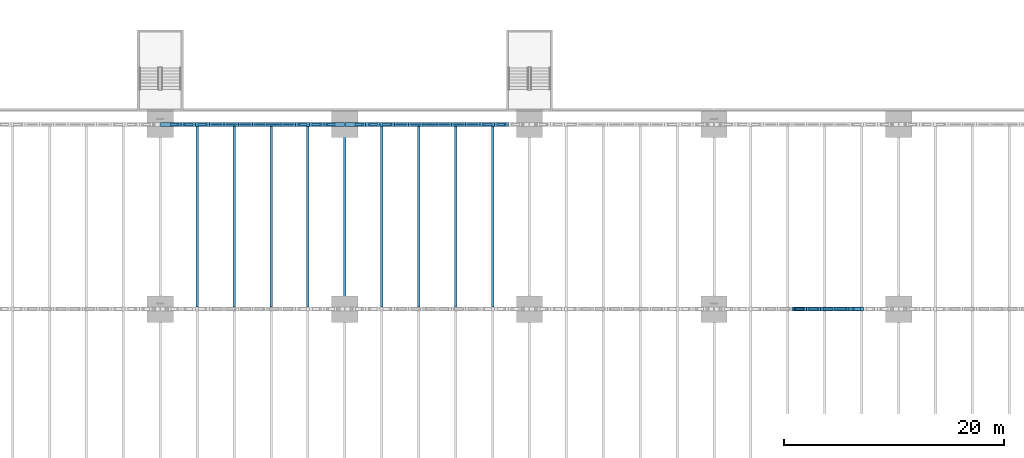
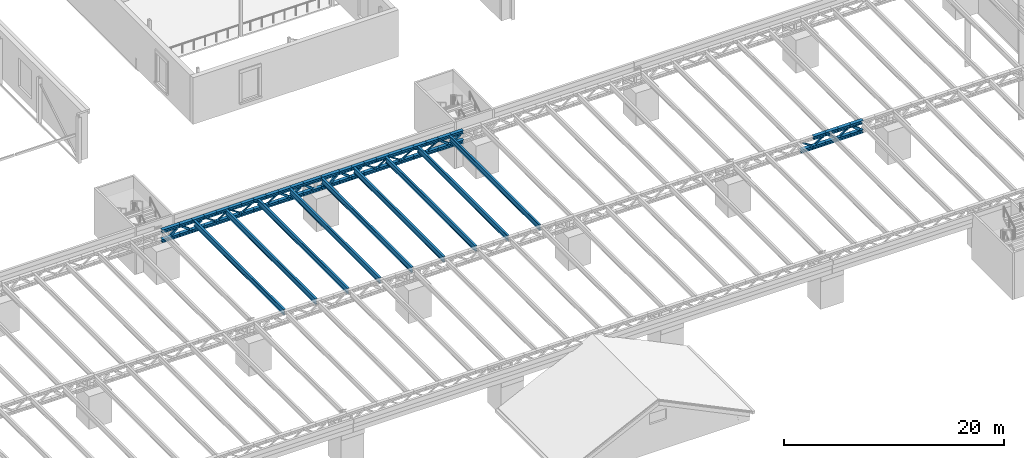
# One storey, part 25 of 93: 83 members, 9 beams.
"""IFC4 building model written with IfcOpenShell, lengths in metres."""

import ifcopenshell
import ifcopenshell.guid

model = None  # the IFC model being written
_history = None  # IfcOwnerHistory: only IFC2X3 demands one
_inside = {}  # id of a spatial element -> (the spatial element, [elements in it])
_under = {}  # id of a project, library or spatial element -> (it, [spatial elements below it])
_declared = {}  # id of a project -> (the project, [libraries it declares])
_typed = {}  # id of a type object -> (the type object, [elements of that type])
_made_of = {}  # id of a material, layer set ... -> (it, [elements and type objects made of it])


def new_model(schema):
    """Start an empty IFC model of exactly this schema.

    Asked for "IFC4X3", IfcOpenShell would pick the latest addendum, in which some entities
    have other attributes; the version numbers below select the first issue.
    IFC2X3 requires an IfcOwnerHistory on every rooted entity: one is made here for all.
    """
    global model, _history
    if schema == "IFC4X3":
        model = ifcopenshell.file(schema_version=(4, 3, 0, 0))
    else:
        model = ifcopenshell.file(schema=schema)
    _inside.clear()
    _under.clear()
    _declared.clear()
    _typed.clear()
    _made_of.clear()
    _history = None
    if model.schema == "IFC2X3":
        org = make("IfcOrganization", Name="unknown")
        user = make(
            "IfcPersonAndOrganization",
            ThePerson=make("IfcPerson", FamilyName="unknown"),
            TheOrganization=org,
        )
        app = make(
            "IfcApplication",
            ApplicationDeveloper=org,
            Version="unknown",
            ApplicationFullName="unknown",
            ApplicationIdentifier="unknown",
        )
        _history = make(
            "IfcOwnerHistory",
            OwningUser=user,
            OwningApplication=app,
            ChangeAction="ADDED",
            CreationDate=0,
        )
    return model


def make(cls, **values):
    """One entity of the class cls with the attributes given. An attribute that is None is left unset."""
    return model.create_entity(
        cls, **{name: value for name, value in values.items() if value is not None}
    )


def rooted(cls, **values):
    """An entity with a GlobalId (a new one), such as an element, a storey or a relation."""
    return make(cls, GlobalId=ifcopenshell.guid.new(), OwnerHistory=_history, **values)


def si_unit(unit_type, name, prefix=None):
    """IfcSIUnit, for example si_unit("LENGTHUNIT", "METRE", prefix="MILLI")."""
    return make("IfcSIUnit", UnitType=unit_type, Prefix=prefix, Name=name)


def assignment(units):
    """IfcUnitAssignment: the units of a project."""
    return None if units is None else make("IfcUnitAssignment", Units=units)


def point(xyz):
    """IfcCartesianPoint."""
    return None if xyz is None else make("IfcCartesianPoint", Coordinates=xyz)


def direction(xyz):
    """IfcDirection."""
    return None if xyz is None else make("IfcDirection", DirectionRatios=xyz)


def frame(location, z_axis=None, x_axis=None):
    """IfcAxis2Placement3D, a coordinate frame: its origin and axes. An axis left out is left unset."""
    return make(
        "IfcAxis2Placement3D",
        Location=point(location),
        Axis=direction(z_axis),
        RefDirection=direction(x_axis),
    )


def frame_2d(location, x_axis=None):
    """IfcAxis2Placement2D, a coordinate frame in the plane: its origin and x axis."""
    return make(
        "IfcAxis2Placement2D", Location=point(location), RefDirection=direction(x_axis)
    )


def origin():
    """The frame at (0, 0, 0) with its axes left unset."""
    return frame((0.0, 0.0, 0.0))


def origin_2d():
    """The frame at (0, 0) in the plane with its x axis left unset."""
    return frame_2d((0.0, 0.0))


def place(relative_to, where):
    """IfcLocalPlacement: puts the frame where relative to a parent placement (None: the world)."""
    return make(
        "IfcLocalPlacement", PlacementRelTo=relative_to, RelativePlacement=where
    )


def context(
    kind, dimensions, precision=None, world=None, true_north=None, identifier=None
):
    """IfcGeometricRepresentationContext, for example the 3D "Model" context."""
    return make(
        "IfcGeometricRepresentationContext",
        ContextIdentifier=identifier,
        ContextType=kind,
        CoordinateSpaceDimension=dimensions,
        Precision=precision,
        WorldCoordinateSystem=world,
        TrueNorth=true_north,
    )


def subcontext(parent, identifier, kind, view, scale=None):
    """IfcGeometricRepresentationSubContext, for example "Body" below "Model"."""
    return make(
        "IfcGeometricRepresentationSubContext",
        ContextIdentifier=identifier,
        ContextType=kind,
        ParentContext=parent,
        TargetScale=scale,
        TargetView=view,
    )


def project(units=None, contexts=None):
    """IfcProject with its units and contexts."""
    return rooted(
        "IfcProject",
        Name="project",
        RepresentationContexts=contexts,
        UnitsInContext=assignment(units),
    )


def spatial(cls, under=None, at=None, **own):
    """A site, building, storey or space (cls), placed at a placement, below another one or the project."""
    s = rooted(cls, ObjectPlacement=at, **own)
    if under is not None:
        _under.setdefault(under.id(), (under, []))[1].append(s)
    return s


def profile(cls, at=None, kind="AREA", **sizes):
    """A parametric profile (cls). Its sizes go by their IFC names, for example OverallWidth=200.0."""
    return make(cls, ProfileType=kind, Position=at, **sizes)


def hollow_rectangle(**sizes):
    """IfcRectangleHollowProfileDef."""
    return profile("IfcRectangleHollowProfileDef", **sizes)


def i_section(**sizes):
    """IfcIShapeProfileDef."""
    return profile("IfcIShapeProfileDef", **sizes)


def extrude(swept, where, along, depth):
    """IfcExtrudedAreaSolid: the profile swept, set in the frame where, extruded along a direction by depth."""
    return make(
        "IfcExtrudedAreaSolid",
        SweptArea=swept,
        Position=where,
        ExtrudedDirection=direction(along),
        Depth=depth,
    )


def shape(context_of_items, identifier, shape_type, items):
    """IfcShapeRepresentation: the items that make up one representation, for example the "Body"."""
    return make(
        "IfcShapeRepresentation",
        ContextOfItems=context_of_items,
        RepresentationIdentifier=identifier,
        RepresentationType=shape_type,
        Items=items,
    )


def material(Name=None, Category=None):
    """IfcMaterial."""
    return make("IfcMaterial", Name=Name, Category=Category)


def material_profile(
    of_material, cross_section, Name=None, Category=None, Priority=None
):
    """IfcMaterialProfile: a cross section and its material."""
    return make(
        "IfcMaterialProfile",
        Name=Name,
        Material=of_material,
        Profile=cross_section,
        Priority=Priority,
        Category=Category,
    )


def profile_set(profiles, Name=None, composite=None):
    """IfcMaterialProfileSet."""
    return make(
        "IfcMaterialProfileSet",
        Name=Name,
        MaterialProfiles=profiles,
        CompositeProfile=composite,
    )


def made_of(thing, what):
    """Note that an element or type object is made of a material, layer set ...; save() writes the relation."""
    if what is not None:
        _made_of.setdefault(what.id(), (what, []))[1].append(thing)
    return thing


def type_object(cls, material=None, **own):
    """A type object (cls), such as IfcWallType, which elements share."""
    return made_of(rooted(cls, **own), material)


def element(
    cls,
    number,
    at=None,
    inside=None,
    cuts=None,
    type_object=None,
    material=None,
    context=None,
    identifier="Body",
    shape_type=None,
    held_by="IfcProductDefinitionShape",
    body=None,
    shapes=None,
    **own,
):
    """One element of the class cls, such as IfcWall. Its Tag is "e" and its number.

    at: its placement. inside: the storey or other place that contains it. cuts: it is an
    opening in that element (IfcRelVoidsElement). A single representation is given by context,
    identifier, shape_type and body (its items); several are given by shapes. held_by: the class
    of the entity that holds the representations. save() writes the other relations.
    """
    e = rooted(cls, Tag="e%d" % number, ObjectPlacement=at, **own)
    if body is not None:
        shapes = [shape(context, identifier, shape_type, body)]
    if shapes is not None:
        e.Representation = make(held_by, Representations=shapes)
    if inside is not None:
        _inside.setdefault(inside.id(), (inside, []))[1].append(e)
    if cuts is not None:
        rooted(
            "IfcRelVoidsElement", RelatingBuildingElement=cuts, RelatedOpeningElement=e
        )
    if type_object is not None:
        _typed.setdefault(type_object.id(), (type_object, []))[1].append(e)
    return made_of(e, material)


def aggregate(whole, parts):
    """IfcRelAggregates: a whole, such as a stair, and the parts it consists of."""
    return rooted("IfcRelAggregates", RelatingObject=whole, RelatedObjects=parts)


def save(model, path):
    """Write the relations noted so far, then the file.

    IfcRelAggregates (storeys below a building ...), IfcRelContainedInSpatialStructure (elements
    in a storey), IfcRelDefinesByType, IfcRelAssociatesMaterial and IfcRelDeclares: one each for
    every whole, place, type object, material and project.
    """
    for whole, parts in _under.values():
        aggregate(whole, parts)
    for where, things in _inside.values():
        rooted(
            "IfcRelContainedInSpatialStructure",
            RelatedElements=things,
            RelatingStructure=where,
        )
    for kind, things in _typed.values():
        rooted("IfcRelDefinesByType", RelatedObjects=things, RelatingType=kind)
    for what, things in _made_of.values():
        rooted("IfcRelAssociatesMaterial", RelatedObjects=things, RelatingMaterial=what)
    for by, libraries in _declared.values():
        rooted("IfcRelDeclares", RelatingContext=by, RelatedDefinitions=libraries)
    model.write(path)


model = new_model("IFC4")

# Units and contexts
model_context = context("Model", 3, precision=1e-05, world=origin(), true_north=direction((0.0, 1.0)))
body_context = subcontext(model_context, "Body", "Model", "MODEL_VIEW")
ifc_project = project(units=[si_unit("LENGTHUNIT", "METRE"), si_unit("AREAUNIT", "SQUARE_METRE"), si_unit("VOLUMEUNIT", "CUBIC_METRE"), si_unit("PLANEANGLEUNIT", "RADIAN"), si_unit("MASSUNIT", "GRAM", prefix="KILO")], contexts=[model_context])

# Site, building, storey
site_placement = place(None, origin())
site = spatial("IfcSite", under=ifc_project, at=site_placement, CompositionType="ELEMENT")
building_placement = place(site_placement, origin())
building = spatial("IfcBuilding", under=site, at=building_placement, Name="Verrick Yard Athletic Hall", CompositionType="ELEMENT")
storey_placement = place(building_placement, frame((0.0, 0.0, 8.800048828125)))
storey = spatial("IfcBuildingStorey", under=building, at=storey_placement, Name="L02", CompositionType="ELEMENT", Elevation=8.800048828125)

# Members
ifc_material_1 = material(Name="Structural steel 350W (CSA G40.21)", Category="steel")
ifc_material_profile_1 = material_profile(ifc_material_1, i_section(OverallWidth=0.368896484375, OverallDepth=0.35595703125, WebThickness=0.01123046875, FlangeThickness=0.01806640625, at=origin_2d()), Name="W360x134")
ifc_profile_set_1 = profile_set([ifc_material_profile_1], Name="Structural steel 350W (CSA G40.21)")
member_type_1 = type_object("IfcMemberType", Name="STR Edge truss bottom chord W360x134", PredefinedType="CHORD", material=ifc_profile_set_1)
member_1_placement = place(storey_placement, frame((73.625, 52.800048828125, 3.827880859375), z_axis=(1.0, 0.0, 0.0), x_axis=(0.0, 1.0, 0.0)))
element("IfcMember", 1, at=member_1_placement, inside=storey, type_object=member_type_1, Name="STR-BC-GC3-1", PredefinedType="CHORD", context=body_context, shape_type="SweptSolid", body=[
    extrude(i_section(OverallWidth=0.368896484375, OverallDepth=0.35595703125, WebThickness=0.01123046875, FlangeThickness=0.01806640625, at=origin_2d()), origin(), (0.0, 0.0, 1.0), 1.875),
])
for number, where, z_axis, x_axis, name in (
    (2, (75.5, 52.800048828125, 3.827880859375), (1.0, 0.0, 0.0), (0.0, 1.0, 0.0), "STR-BC-GC3-2"),
    (3, (76.800048828125, 52.800048828125, 3.827880859375), (1.0, 0.0, 0.0), (0.0, 1.0, 0.0), "STR-BC-GC3-3"),
):
    element("IfcMember", number, at=place(storey_placement, frame(where, z_axis=z_axis, x_axis=x_axis)), inside=storey, type_object=member_type_1, Name=name, PredefinedType="CHORD", context=body_context, shape_type="SweptSolid", body=[
        extrude(i_section(OverallWidth=0.368896484375, OverallDepth=0.35595703125, WebThickness=0.01123046875, FlangeThickness=0.01806640625, at=origin_2d()), origin(), (0.0, 0.0, 1.0), 1.300048828125),
    ])
member_2_placement = place(storey_placement, frame((78.10009765625, 52.800048828125, 3.827880859375), z_axis=(1.0, 0.0, 0.0), x_axis=(0.0, 1.0, 0.0)))
element("IfcMember", 4, at=member_2_placement, inside=storey, type_object=member_type_1, Name="STR-BC-GC3-4", PredefinedType="CHORD", context=body_context, shape_type="SweptSolid", body=[
    extrude(i_section(OverallWidth=0.368896484375, OverallDepth=0.35595703125, WebThickness=0.01123046875, FlangeThickness=0.01806640625, at=origin_2d()), origin(), (0.0, 0.0, 1.0), 1.2998046875),
])
for number, where, z_axis, x_axis, name in (
    (5, (79.39990234375, 52.800048828125, 3.827880859375), (1.0, 0.0, 0.0), (0.0, 1.0, 0.0), "STR-BC-GC3-5"),
    (6, (80.699951171875, 52.800048828125, 3.827880859375), (1.0, 0.0, 0.0), (0.0, 1.0, 0.0), "STR-BC-GC3-6"),
    (7, (82.0, 52.800048828125, 3.827880859375), (1.0, 0.0, 0.0), (0.0, 1.0, 0.0), "STR-BC-GC3-7"),
    (8, (83.300048828125, 52.800048828125, 3.827880859375), (1.0, 0.0, 0.0), (0.0, 1.0, 0.0), "STR-BC-GC3-8"),
):
    element("IfcMember", number, at=place(storey_placement, frame(where, z_axis=z_axis, x_axis=x_axis)), inside=storey, type_object=member_type_1, Name=name, PredefinedType="CHORD", context=body_context, shape_type="SweptSolid", body=[
        extrude(i_section(OverallWidth=0.368896484375, OverallDepth=0.35595703125, WebThickness=0.01123046875, FlangeThickness=0.01806640625, at=origin_2d()), origin(), (0.0, 0.0, 1.0), 1.300048828125),
    ])
member_3_placement = place(storey_placement, frame((84.60009765625, 52.800048828125, 3.827880859375), z_axis=(1.0, 0.0, 0.0), x_axis=(0.0, 1.0, 0.0)))
element("IfcMember", 9, at=member_3_placement, inside=storey, type_object=member_type_1, Name="STR-BC-GC3-9", PredefinedType="CHORD", context=body_context, shape_type="SweptSolid", body=[
    extrude(i_section(OverallWidth=0.368896484375, OverallDepth=0.35595703125, WebThickness=0.01123046875, FlangeThickness=0.01806640625, at=origin_2d()), origin(), (0.0, 0.0, 1.0), 1.2998046875),
])
for number, where, z_axis, x_axis, name in (
    (10, (85.89990234375, 52.800048828125, 3.827880859375), (1.0, 0.0, 0.0), (0.0, 1.0, 0.0), "STR-BC-GC3-10"),
    (11, (87.199951171875, 52.800048828125, 3.827880859375), (1.0, 0.0, 0.0), (0.0, 1.0, 0.0), "STR-BC-GC3-11"),
):
    element("IfcMember", number, at=place(storey_placement, frame(where, z_axis=z_axis, x_axis=x_axis)), inside=storey, type_object=member_type_1, Name=name, PredefinedType="CHORD", context=body_context, shape_type="SweptSolid", body=[
        extrude(i_section(OverallWidth=0.368896484375, OverallDepth=0.35595703125, WebThickness=0.01123046875, FlangeThickness=0.01806640625, at=origin_2d()), origin(), (0.0, 0.0, 1.0), 1.300048828125),
    ])
for number, where, z_axis, x_axis, name in (
    (12, (88.5, 52.800048828125, 3.827880859375), (1.0, 0.0, 0.0), (0.0, 1.0, 0.0), "STR-BC-GC3-12"),
    (13, (90.425048828125, 52.800048828125, 3.827880859375), (1.0, 0.0, 0.0), (0.0, 1.0, 0.0), "STR-BC-GC4-1"),
):
    element("IfcMember", number, at=place(storey_placement, frame(where, z_axis=z_axis, x_axis=x_axis)), inside=storey, type_object=member_type_1, Name=name, PredefinedType="CHORD", context=body_context, shape_type="SweptSolid", body=[
        extrude(i_section(OverallWidth=0.368896484375, OverallDepth=0.35595703125, WebThickness=0.01123046875, FlangeThickness=0.01806640625, at=origin_2d()), origin(), (0.0, 0.0, 1.0), 1.875),
    ])
member_4_placement = place(storey_placement, frame((92.300048828125, 52.800048828125, 3.827880859375), z_axis=(1.0, 0.0, 0.0), x_axis=(0.0, 1.0, 0.0)))
element("IfcMember", 14, at=member_4_placement, inside=storey, type_object=member_type_1, Name="STR-BC-GC4-2", PredefinedType="CHORD", context=body_context, shape_type="SweptSolid", body=[
    extrude(i_section(OverallWidth=0.368896484375, OverallDepth=0.35595703125, WebThickness=0.01123046875, FlangeThickness=0.01806640625, at=origin_2d()), origin(), (0.0, 0.0, 1.0), 1.300048828125),
])
member_5_placement = place(storey_placement, frame((93.60009765625, 52.800048828125, 3.827880859375), z_axis=(1.0, 0.0, 0.0), x_axis=(0.0, 1.0, 0.0)))
element("IfcMember", 15, at=member_5_placement, inside=storey, type_object=member_type_1, Name="STR-BC-GC4-3", PredefinedType="CHORD", context=body_context, shape_type="SweptSolid", body=[
    extrude(i_section(OverallWidth=0.368896484375, OverallDepth=0.35595703125, WebThickness=0.01123046875, FlangeThickness=0.01806640625, at=origin_2d()), origin(), (0.0, 0.0, 1.0), 1.2998046875),
])
for number, where, z_axis, x_axis, name in (
    (16, (94.89990234375, 52.800048828125, 3.827880859375), (1.0, 0.0, 0.0), (0.0, 1.0, 0.0), "STR-BC-GC4-4"),
    (17, (96.199951171875, 52.800048828125, 3.827880859375), (1.0, 0.0, 0.0), (0.0, 1.0, 0.0), "STR-BC-GC4-5"),
    (18, (97.5, 52.800048828125, 3.827880859375), (1.0, 0.0, 0.0), (0.0, 1.0, 0.0), "STR-BC-GC4-6"),
    (19, (98.800048828125, 52.800048828125, 3.827880859375), (1.0, 0.0, 0.0), (0.0, 1.0, 0.0), "STR-BC-GC4-7"),
):
    element("IfcMember", number, at=place(storey_placement, frame(where, z_axis=z_axis, x_axis=x_axis)), inside=storey, type_object=member_type_1, Name=name, PredefinedType="CHORD", context=body_context, shape_type="SweptSolid", body=[
        extrude(i_section(OverallWidth=0.368896484375, OverallDepth=0.35595703125, WebThickness=0.01123046875, FlangeThickness=0.01806640625, at=origin_2d()), origin(), (0.0, 0.0, 1.0), 1.300048828125),
    ])
member_6_placement = place(storey_placement, frame((100.10009765625, 52.800048828125, 3.827880859375), z_axis=(1.0, 0.0, 0.0), x_axis=(0.0, 1.0, 0.0)))
element("IfcMember", 20, at=member_6_placement, inside=storey, type_object=member_type_1, Name="STR-BC-GC4-8", PredefinedType="CHORD", context=body_context, shape_type="SweptSolid", body=[
    extrude(i_section(OverallWidth=0.368896484375, OverallDepth=0.35595703125, WebThickness=0.01123046875, FlangeThickness=0.01806640625, at=origin_2d()), origin(), (0.0, 0.0, 1.0), 1.2998046875),
])
for number, where, z_axis, x_axis, name in (
    (21, (101.39990234375, 52.800048828125, 3.827880859375), (1.0, 0.0, 0.0), (0.0, 1.0, 0.0), "STR-BC-GC4-9"),
    (22, (102.699951171875, 52.800048828125, 3.827880859375), (1.0, 0.0, 0.0), (0.0, 1.0, 0.0), "STR-BC-GC4-10"),
    (23, (104.0, 52.800048828125, 3.827880859375), (1.0, 0.0, 0.0), (0.0, 1.0, 0.0), "STR-BC-GC4-11"),
):
    element("IfcMember", number, at=place(storey_placement, frame(where, z_axis=z_axis, x_axis=x_axis)), inside=storey, type_object=member_type_1, Name=name, PredefinedType="CHORD", context=body_context, shape_type="SweptSolid", body=[
        extrude(i_section(OverallWidth=0.368896484375, OverallDepth=0.35595703125, WebThickness=0.01123046875, FlangeThickness=0.01806640625, at=origin_2d()), origin(), (0.0, 0.0, 1.0), 1.300048828125),
    ])
ifc_material_profile_2 = material_profile(ifc_material_1, i_section(OverallWidth=0.368896484375, OverallDepth=0.35595703125, WebThickness=0.01123046875, FlangeThickness=0.01806640625, at=origin_2d()), Name="W360x134")
ifc_profile_set_2 = profile_set([ifc_material_profile_2], Name="Structural steel 350W (CSA G40.21)")
member_type_2 = type_object("IfcMemberType", Name="STR Edge truss top chord W360x134", PredefinedType="CHORD", material=ifc_profile_set_2)
member_7_placement = place(storey_placement, frame((73.625, 52.800048828125, 4.8720703125), z_axis=(1.0, 0.0, 0.0), x_axis=(0.0, 1.0, 0.0)))
element("IfcMember", 24, at=member_7_placement, inside=storey, type_object=member_type_2, Name="STR-TC-GC3-1", PredefinedType="CHORD", context=body_context, shape_type="SweptSolid", body=[
    extrude(i_section(OverallWidth=0.368896484375, OverallDepth=0.35595703125, WebThickness=0.01123046875, FlangeThickness=0.01806640625, at=origin_2d()), origin(), (0.0, 0.0, 1.0), 1.875),
])
for number, where, z_axis, x_axis, name in (
    (25, (75.5, 52.800048828125, 4.8720703125), (1.0, 0.0, 0.0), (0.0, 1.0, 0.0), "STR-TC-GC3-2"),
    (26, (76.800048828125, 52.800048828125, 4.8720703125), (1.0, 0.0, 0.0), (0.0, 1.0, 0.0), "STR-TC-GC3-3"),
):
    element("IfcMember", number, at=place(storey_placement, frame(where, z_axis=z_axis, x_axis=x_axis)), inside=storey, type_object=member_type_2, Name=name, PredefinedType="CHORD", context=body_context, shape_type="SweptSolid", body=[
        extrude(i_section(OverallWidth=0.368896484375, OverallDepth=0.35595703125, WebThickness=0.01123046875, FlangeThickness=0.01806640625, at=origin_2d()), origin(), (0.0, 0.0, 1.0), 1.300048828125),
    ])
member_8_placement = place(storey_placement, frame((78.10009765625, 52.800048828125, 4.8720703125), z_axis=(1.0, 0.0, 0.0), x_axis=(0.0, 1.0, 0.0)))
element("IfcMember", 27, at=member_8_placement, inside=storey, type_object=member_type_2, Name="STR-TC-GC3-4", PredefinedType="CHORD", context=body_context, shape_type="SweptSolid", body=[
    extrude(i_section(OverallWidth=0.368896484375, OverallDepth=0.35595703125, WebThickness=0.01123046875, FlangeThickness=0.01806640625, at=origin_2d()), origin(), (0.0, 0.0, 1.0), 1.2998046875),
])
for number, where, z_axis, x_axis, name in (
    (28, (79.39990234375, 52.800048828125, 4.8720703125), (1.0, 0.0, 0.0), (0.0, 1.0, 0.0), "STR-TC-GC3-5"),
    (29, (80.699951171875, 52.800048828125, 4.8720703125), (1.0, 0.0, 0.0), (0.0, 1.0, 0.0), "STR-TC-GC3-6"),
    (30, (82.0, 52.800048828125, 4.8720703125), (1.0, 0.0, 0.0), (0.0, 1.0, 0.0), "STR-TC-GC3-7"),
    (31, (83.300048828125, 52.800048828125, 4.8720703125), (1.0, 0.0, 0.0), (0.0, 1.0, 0.0), "STR-TC-GC3-8"),
):
    element("IfcMember", number, at=place(storey_placement, frame(where, z_axis=z_axis, x_axis=x_axis)), inside=storey, type_object=member_type_2, Name=name, PredefinedType="CHORD", context=body_context, shape_type="SweptSolid", body=[
        extrude(i_section(OverallWidth=0.368896484375, OverallDepth=0.35595703125, WebThickness=0.01123046875, FlangeThickness=0.01806640625, at=origin_2d()), origin(), (0.0, 0.0, 1.0), 1.300048828125),
    ])
member_9_placement = place(storey_placement, frame((84.60009765625, 52.800048828125, 4.8720703125), z_axis=(1.0, 0.0, 0.0), x_axis=(0.0, 1.0, 0.0)))
element("IfcMember", 32, at=member_9_placement, inside=storey, type_object=member_type_2, Name="STR-TC-GC3-9", PredefinedType="CHORD", context=body_context, shape_type="SweptSolid", body=[
    extrude(i_section(OverallWidth=0.368896484375, OverallDepth=0.35595703125, WebThickness=0.01123046875, FlangeThickness=0.01806640625, at=origin_2d()), origin(), (0.0, 0.0, 1.0), 1.2998046875),
])
for number, where, z_axis, x_axis, name in (
    (33, (85.89990234375, 52.800048828125, 4.8720703125), (1.0, 0.0, 0.0), (0.0, 1.0, 0.0), "STR-TC-GC3-10"),
    (34, (87.199951171875, 52.800048828125, 4.8720703125), (1.0, 0.0, 0.0), (0.0, 1.0, 0.0), "STR-TC-GC3-11"),
):
    element("IfcMember", number, at=place(storey_placement, frame(where, z_axis=z_axis, x_axis=x_axis)), inside=storey, type_object=member_type_2, Name=name, PredefinedType="CHORD", context=body_context, shape_type="SweptSolid", body=[
        extrude(i_section(OverallWidth=0.368896484375, OverallDepth=0.35595703125, WebThickness=0.01123046875, FlangeThickness=0.01806640625, at=origin_2d()), origin(), (0.0, 0.0, 1.0), 1.300048828125),
    ])
for number, where, z_axis, x_axis, name in (
    (35, (88.5, 52.800048828125, 4.8720703125), (1.0, 0.0, 0.0), (0.0, 1.0, 0.0), "STR-TC-GC3-12"),
    (36, (90.425048828125, 52.800048828125, 4.8720703125), (1.0, 0.0, 0.0), (0.0, 1.0, 0.0), "STR-TC-GC4-1"),
):
    element("IfcMember", number, at=place(storey_placement, frame(where, z_axis=z_axis, x_axis=x_axis)), inside=storey, type_object=member_type_2, Name=name, PredefinedType="CHORD", context=body_context, shape_type="SweptSolid", body=[
        extrude(i_section(OverallWidth=0.368896484375, OverallDepth=0.35595703125, WebThickness=0.01123046875, FlangeThickness=0.01806640625, at=origin_2d()), origin(), (0.0, 0.0, 1.0), 1.875),
    ])
member_10_placement = place(storey_placement, frame((92.300048828125, 52.800048828125, 4.8720703125), z_axis=(1.0, 0.0, 0.0), x_axis=(0.0, 1.0, 0.0)))
element("IfcMember", 37, at=member_10_placement, inside=storey, type_object=member_type_2, Name="STR-TC-GC4-2", PredefinedType="CHORD", context=body_context, shape_type="SweptSolid", body=[
    extrude(i_section(OverallWidth=0.368896484375, OverallDepth=0.35595703125, WebThickness=0.01123046875, FlangeThickness=0.01806640625, at=origin_2d()), origin(), (0.0, 0.0, 1.0), 1.300048828125),
])
member_11_placement = place(storey_placement, frame((93.60009765625, 52.800048828125, 4.8720703125), z_axis=(1.0, 0.0, 0.0), x_axis=(0.0, 1.0, 0.0)))
element("IfcMember", 38, at=member_11_placement, inside=storey, type_object=member_type_2, Name="STR-TC-GC4-3", PredefinedType="CHORD", context=body_context, shape_type="SweptSolid", body=[
    extrude(i_section(OverallWidth=0.368896484375, OverallDepth=0.35595703125, WebThickness=0.01123046875, FlangeThickness=0.01806640625, at=origin_2d()), origin(), (0.0, 0.0, 1.0), 1.2998046875),
])
for number, where, z_axis, x_axis, name in (
    (39, (94.89990234375, 52.800048828125, 4.8720703125), (1.0, 0.0, 0.0), (0.0, 1.0, 0.0), "STR-TC-GC4-4"),
    (40, (96.199951171875, 52.800048828125, 4.8720703125), (1.0, 0.0, 0.0), (0.0, 1.0, 0.0), "STR-TC-GC4-5"),
    (41, (97.5, 52.800048828125, 4.8720703125), (1.0, 0.0, 0.0), (0.0, 1.0, 0.0), "STR-TC-GC4-6"),
    (42, (98.800048828125, 52.800048828125, 4.8720703125), (1.0, 0.0, 0.0), (0.0, 1.0, 0.0), "STR-TC-GC4-7"),
):
    element("IfcMember", number, at=place(storey_placement, frame(where, z_axis=z_axis, x_axis=x_axis)), inside=storey, type_object=member_type_2, Name=name, PredefinedType="CHORD", context=body_context, shape_type="SweptSolid", body=[
        extrude(i_section(OverallWidth=0.368896484375, OverallDepth=0.35595703125, WebThickness=0.01123046875, FlangeThickness=0.01806640625, at=origin_2d()), origin(), (0.0, 0.0, 1.0), 1.300048828125),
    ])
member_12_placement = place(storey_placement, frame((100.10009765625, 52.800048828125, 4.8720703125), z_axis=(1.0, 0.0, 0.0), x_axis=(0.0, 1.0, 0.0)))
element("IfcMember", 43, at=member_12_placement, inside=storey, type_object=member_type_2, Name="STR-TC-GC4-8", PredefinedType="CHORD", context=body_context, shape_type="SweptSolid", body=[
    extrude(i_section(OverallWidth=0.368896484375, OverallDepth=0.35595703125, WebThickness=0.01123046875, FlangeThickness=0.01806640625, at=origin_2d()), origin(), (0.0, 0.0, 1.0), 1.2998046875),
])
for number, where, z_axis, x_axis, name in (
    (44, (101.39990234375, 52.800048828125, 4.8720703125), (1.0, 0.0, 0.0), (0.0, 1.0, 0.0), "STR-TC-GC4-9"),
    (45, (102.699951171875, 52.800048828125, 4.8720703125), (1.0, 0.0, 0.0), (0.0, 1.0, 0.0), "STR-TC-GC4-10"),
    (46, (104.0, 52.800048828125, 4.8720703125), (1.0, 0.0, 0.0), (0.0, 1.0, 0.0), "STR-TC-GC4-11"),
):
    element("IfcMember", number, at=place(storey_placement, frame(where, z_axis=z_axis, x_axis=x_axis)), inside=storey, type_object=member_type_2, Name=name, PredefinedType="CHORD", context=body_context, shape_type="SweptSolid", body=[
        extrude(i_section(OverallWidth=0.368896484375, OverallDepth=0.35595703125, WebThickness=0.01123046875, FlangeThickness=0.01806640625, at=origin_2d()), origin(), (0.0, 0.0, 1.0), 1.300048828125),
    ])
ifc_material_2 = material(Name="Structural steel HSS Class C 350W (CSA G40.20/G40.21)", Category="steel")
ifc_material_profile_3 = material_profile(ifc_material_2, hollow_rectangle(XDim=0.126953125, YDim=0.126953125, WallThickness=0.009521484375, at=origin_2d()), Name="HSS127x127x9.5")
ifc_profile_set_3 = profile_set([ifc_material_profile_3], Name="Structural steel HSS Class C 350W (CSA G40.20/G40.21)")
member_type_3 = type_object("IfcMemberType", Name="STR Edge truss web HSS127x127x9.5", PredefinedType="BRACE", material=ifc_profile_set_3)
member_13_placement = place(storey_placement, frame((78.30224609375, 52.800048828125, 4.641357421875), z_axis=(0.838151139583, 0.0, -0.545438050759), x_axis=(0.0, 1.0, 0.0)))
element("IfcMember", 47, at=member_13_placement, inside=storey, type_object=member_type_3, Name="STR-TW-GC3-4", PredefinedType="BRACE", context=body_context, shape_type="SweptSolid", body=[
    extrude(hollow_rectangle(XDim=0.126953125, YDim=0.126953125, WallThickness=0.009521484375, at=origin_2d()), origin(), (0.0, 0.0, 1.0), 1.068359375),
])
for number, where, z_axis, x_axis, name in (
    (48, (79.602294921875, 52.800048828125, 4.05859375), (0.838083139624, 0.0, 0.54554252912), (0.0, 1.0, 0.0), "STR-TW-GC3-5"),
    (49, (80.90234375, 52.800048828125, 4.641357421875), (0.838083139624, 0.0, -0.54554252912), (0.0, 1.0, 0.0), "STR-TW-GC3-6"),
    (50, (82.202392578125, 52.800048828125, 4.05859375), (0.838083139624, 0.0, 0.54554252912), (0.0, 1.0, 0.0), "STR-TW-GC3-7"),
    (51, (83.50244140625, 52.800048828125, 4.641357421875), (0.838083139624, 0.0, -0.54554252912), (0.0, 1.0, 0.0), "STR-TW-GC3-8"),
):
    element("IfcMember", number, at=place(storey_placement, frame(where, z_axis=z_axis, x_axis=x_axis)), inside=storey, type_object=member_type_3, Name=name, PredefinedType="BRACE", context=body_context, shape_type="SweptSolid", body=[
        extrude(hollow_rectangle(XDim=0.126953125, YDim=0.126953125, WallThickness=0.009521484375, at=origin_2d()), origin(), (0.0, 0.0, 1.0), 1.068115234375),
    ])
member_14_placement = place(storey_placement, frame((84.80224609375, 52.800048828125, 4.05859375), z_axis=(0.838151139583, 0.0, 0.545438050759), x_axis=(0.0, 1.0, 0.0)))
element("IfcMember", 52, at=member_14_placement, inside=storey, type_object=member_type_3, Name="STR-TW-GC3-9", PredefinedType="BRACE", context=body_context, shape_type="SweptSolid", body=[
    extrude(hollow_rectangle(XDim=0.126953125, YDim=0.126953125, WallThickness=0.009521484375, at=origin_2d()), origin(), (0.0, 0.0, 1.0), 1.068359375),
])
for number, where, z_axis, x_axis, name in (
    (53, (95.102294921875, 52.800048828125, 4.641357421875), (0.838083139624, 0.0, -0.54554252912), (0.0, 1.0, 0.0), "STR-TW-GC4-4"),
    (54, (96.40234375, 52.800048828125, 4.05859375), (0.838083139624, 0.0, 0.54554252912), (0.0, 1.0, 0.0), "STR-TW-GC4-5"),
    (55, (97.702392578125, 52.800048828125, 4.641357421875), (0.838083139624, 0.0, -0.54554252912), (0.0, 1.0, 0.0), "STR-TW-GC4-6"),
    (56, (99.00244140625, 52.800048828125, 4.05859375), (0.838083139624, 0.0, 0.54554252912), (0.0, 1.0, 0.0), "STR-TW-GC4-7"),
):
    element("IfcMember", number, at=place(storey_placement, frame(where, z_axis=z_axis, x_axis=x_axis)), inside=storey, type_object=member_type_3, Name=name, PredefinedType="BRACE", context=body_context, shape_type="SweptSolid", body=[
        extrude(hollow_rectangle(XDim=0.126953125, YDim=0.126953125, WallThickness=0.009521484375, at=origin_2d()), origin(), (0.0, 0.0, 1.0), 1.068115234375),
    ])
member_15_placement = place(storey_placement, frame((100.30224609375, 52.800048828125, 4.641357421875), z_axis=(0.838151139583, 0.0, -0.545438050759), x_axis=(0.0, 1.0, 0.0)))
element("IfcMember", 57, at=member_15_placement, inside=storey, type_object=member_type_3, Name="STR-TW-GC4-8", PredefinedType="BRACE", context=body_context, shape_type="SweptSolid", body=[
    extrude(hollow_rectangle(XDim=0.126953125, YDim=0.126953125, WallThickness=0.009521484375, at=origin_2d()), origin(), (0.0, 0.0, 1.0), 1.068359375),
])
member_16_placement = place(storey_placement, frame((101.602294921875, 52.800048828125, 4.05859375), z_axis=(0.838083139624, 0.0, 0.54554252912), x_axis=(0.0, 1.0, 0.0)))
element("IfcMember", 58, at=member_16_placement, inside=storey, type_object=member_type_3, Name="STR-TW-GC4-9", PredefinedType="BRACE", context=body_context, shape_type="SweptSolid", body=[
    extrude(hollow_rectangle(XDim=0.126953125, YDim=0.126953125, WallThickness=0.009521484375, at=origin_2d()), origin(), (0.0, 0.0, 1.0), 1.068115234375),
])
ifc_material_profile_4 = material_profile(ifc_material_2, hollow_rectangle(XDim=0.203125, YDim=0.203125, WallThickness=0.0126953125, at=origin_2d()), Name="HSS203x203x13")
ifc_profile_set_4 = profile_set([ifc_material_profile_4], Name="Structural steel HSS Class C 350W (CSA G40.20/G40.21)")
member_type_4 = type_object("IfcMemberType", Name="STR Edge truss web HSS203x203x13", PredefinedType="BRACE", material=ifc_profile_set_4)
member_17_placement = place(storey_placement, frame((74.572265625, 52.800048828125, 4.084716796875), z_axis=(0.780391329508, 0.0, 0.625291430318), x_axis=(0.0, 1.0, 0.0)))
element("IfcMember", 59, at=member_17_placement, inside=storey, type_object=member_type_4, Name="STR-TW-GC3-1", PredefinedType="BRACE", context=body_context, shape_type="SweptSolid", body=[
    extrude(hollow_rectangle(XDim=0.203125, YDim=0.203125, WallThickness=0.0126953125, at=origin_2d()), origin(), (0.0, 0.0, 1.0), 0.848388671875),
])
member_18_placement = place(storey_placement, frame((75.78955078125, 52.800048828125, 4.6123046875), z_axis=(0.808428172865, 0.0, -0.588594843095), x_axis=(0.0, 1.0, 0.0)))
element("IfcMember", 60, at=member_18_placement, inside=storey, type_object=member_type_4, Name="STR-TW-GC3-2", PredefinedType="BRACE", context=body_context, shape_type="SweptSolid", body=[
    extrude(hollow_rectangle(XDim=0.203125, YDim=0.203125, WallThickness=0.0126953125, at=origin_2d()), origin(), (0.0, 0.0, 1.0), 0.891845703125),
])
for number, where, z_axis, x_axis, name in (
    (61, (77.089599609375, 52.800048828125, 4.08740234375), (0.808333297144, 0.0, 0.588725131728), (0.0, 1.0, 0.0), "STR-TW-GC3-3"),
    (62, (86.189697265625, 52.800048828125, 4.6123046875), (0.808333297144, 0.0, -0.588725131728), (0.0, 1.0, 0.0), "STR-TW-GC3-10"),
):
    element("IfcMember", number, at=place(storey_placement, frame(where, z_axis=z_axis, x_axis=x_axis)), inside=storey, type_object=member_type_4, Name=name, PredefinedType="BRACE", context=body_context, shape_type="SweptSolid", body=[
        extrude(hollow_rectangle(XDim=0.203125, YDim=0.203125, WallThickness=0.0126953125, at=origin_2d()), origin(), (0.0, 0.0, 1.0), 0.8916015625),
    ])
member_19_placement = place(storey_placement, frame((87.489501953125, 52.800048828125, 4.08740234375), z_axis=(0.808428172865, 0.0, 0.588594843095), x_axis=(0.0, 1.0, 0.0)))
element("IfcMember", 63, at=member_19_placement, inside=storey, type_object=member_type_4, Name="STR-TW-GC3-11", PredefinedType="BRACE", context=body_context, shape_type="SweptSolid", body=[
    extrude(hollow_rectangle(XDim=0.203125, YDim=0.203125, WallThickness=0.0126953125, at=origin_2d()), origin(), (0.0, 0.0, 1.0), 0.891845703125),
])
for number, where, z_axis, x_axis, name in (
    (64, (88.765625, 52.800048828125, 4.615234375), (0.780391329508, 0.0, -0.625291430318), (0.0, 1.0, 0.0), "STR-TW-GC3-12"),
    (65, (91.372314453125, 52.800048828125, 4.084716796875), (0.780391329508, 0.0, 0.625291430318), (0.0, 1.0, 0.0), "STR-TW-GC4-1"),
):
    element("IfcMember", number, at=place(storey_placement, frame(where, z_axis=z_axis, x_axis=x_axis)), inside=storey, type_object=member_type_4, Name=name, PredefinedType="BRACE", context=body_context, shape_type="SweptSolid", body=[
        extrude(hollow_rectangle(XDim=0.203125, YDim=0.203125, WallThickness=0.0126953125, at=origin_2d()), origin(), (0.0, 0.0, 1.0), 0.848388671875),
    ])
for number, where, z_axis, x_axis, name in (
    (66, (92.589599609375, 52.800048828125, 4.6123046875), (0.808333297144, 0.0, -0.588725131728), (0.0, 1.0, 0.0), "STR-TW-GC4-2"),
    (67, (93.8896484375, 52.800048828125, 4.08740234375), (0.808333297144, 0.0, 0.588725131728), (0.0, 1.0, 0.0), "STR-TW-GC4-3"),
):
    element("IfcMember", number, at=place(storey_placement, frame(where, z_axis=z_axis, x_axis=x_axis)), inside=storey, type_object=member_type_4, Name=name, PredefinedType="BRACE", context=body_context, shape_type="SweptSolid", body=[
        extrude(hollow_rectangle(XDim=0.203125, YDim=0.203125, WallThickness=0.0126953125, at=origin_2d()), origin(), (0.0, 0.0, 1.0), 0.8916015625),
    ])
for number, where, z_axis, x_axis, name in (
    (68, (102.989501953125, 52.800048828125, 4.6123046875), (0.808428172865, 0.0, -0.588594843095), (0.0, 1.0, 0.0), "STR-TW-GC4-10"),
    (69, (104.28955078125, 52.800048828125, 4.08740234375), (0.808428172865, 0.0, 0.588594843095), (0.0, 1.0, 0.0), "STR-TW-GC4-11"),
):
    element("IfcMember", number, at=place(storey_placement, frame(where, z_axis=z_axis, x_axis=x_axis)), inside=storey, type_object=member_type_4, Name=name, PredefinedType="BRACE", context=body_context, shape_type="SweptSolid", body=[
        extrude(hollow_rectangle(XDim=0.203125, YDim=0.203125, WallThickness=0.0126953125, at=origin_2d()), origin(), (0.0, 0.0, 1.0), 0.891845703125),
    ])

# Beams
ifc_material_profile_5 = material_profile(ifc_material_1, i_section(OverallWidth=0.22802734375, OverallDepth=0.60791015625, WebThickness=0.01123046875, FlangeThickness=0.017333984375, at=origin_2d()), Name="W610x113")
ifc_profile_set_5 = profile_set([ifc_material_profile_5], Name="Structural steel 350W (CSA G40.21)")
beam_type = type_object("IfcBeamType", Name="STR Secondary beam W610x113", PredefinedType="BEAM", material=ifc_profile_set_5)
for number, where, z_axis, x_axis, name in (
    (70, (76.9599609375, 36.18701171875, 4.745849609375), (0.0, 1.0, 0.0), (-1.0, 0.0, 0.0), "STR-SB-S231"),
    (71, (80.320068359375, 36.18701171875, 4.745849609375), (0.0, 1.0, 0.0), (-1.0, 0.0, 0.0), "STR-SB-S232"),
    (72, (83.679931640625, 36.18701171875, 4.745849609375), (0.0, 1.0, 0.0), (-1.0, 0.0, 0.0), "STR-SB-S233"),
    (73, (87.0400390625, 36.18701171875, 4.745849609375), (0.0, 1.0, 0.0), (-1.0, 0.0, 0.0), "STR-SB-S234"),
    (74, (93.760009765625, 36.18701171875, 4.745849609375), (0.0, 1.0, 0.0), (-1.0, 0.0, 0.0), "STR-SB-S241"),
    (75, (97.1201171875, 36.18701171875, 4.745849609375), (0.0, 1.0, 0.0), (-1.0, 0.0, 0.0), "STR-SB-S242"),
    (76, (100.47998046875, 36.18701171875, 4.745849609375), (0.0, 1.0, 0.0), (-1.0, 0.0, 0.0), "STR-SB-S243"),
    (77, (103.840087890625, 36.18701171875, 4.745849609375), (0.0, 1.0, 0.0), (-1.0, 0.0, 0.0), "STR-SB-S244"),
    (78, (90.39990234375, 36.18701171875, 4.745849609375), (0.0, 1.0, 0.0), (-1.0, 0.0, 0.0), "STR-SB-X4B"),
):
    element("IfcBeam", number, at=place(storey_placement, frame(where, z_axis=z_axis, x_axis=x_axis)), inside=storey, type_object=beam_type, Name=name, PredefinedType="BEAM", context=body_context, shape_type="SweptSolid", body=[
        extrude(i_section(OverallWidth=0.22802734375, OverallDepth=0.60791015625, WebThickness=0.01123046875, FlangeThickness=0.017333984375, at=origin_2d()), origin(), (0.0, 0.0, 1.0), 16.428466796875),
    ])

# Members
ifc_material_profile_6 = material_profile(ifc_material_1, i_section(OverallWidth=0.3740234375, OverallDepth=0.3720703125, WebThickness=0.016357421875, FlangeThickness=0.026123046875, at=origin_2d()), Name="W360x196")
ifc_profile_set_6 = profile_set([ifc_material_profile_6], Name="Structural steel 350W (CSA G40.21)")
member_type_5 = type_object("IfcMemberType", Name="STR Truss bottom chord W360x196", PredefinedType="CHORD", material=ifc_profile_set_6)
member_20_placement = place(storey_placement, frame((131.10009765625, 36.0, 3.8359375), z_axis=(1.0, 0.0, 0.0), x_axis=(0.0, 1.0, 0.0)))
element("IfcMember", 79, at=member_20_placement, inside=storey, type_object=member_type_5, Name="STR-BC-GB6-6", PredefinedType="CHORD", context=body_context, shape_type="SweptSolid", body=[
    extrude(i_section(OverallWidth=0.3740234375, OverallDepth=0.3720703125, WebThickness=0.016357421875, FlangeThickness=0.026123046875, at=origin_2d()), origin(), (0.0, 0.0, 1.0), 1.2998046875),
])
for number, where, z_axis, x_axis, name in (
    (80, (132.39990234375, 36.0, 3.8359375), (1.0, 0.0, 0.0), (0.0, 1.0, 0.0), "STR-BC-GB6-7"),
    (81, (133.699951171875, 36.0, 3.8359375), (1.0, 0.0, 0.0), (0.0, 1.0, 0.0), "STR-BC-GB6-8"),
    (82, (135.0, 36.0, 3.8359375), (1.0, 0.0, 0.0), (0.0, 1.0, 0.0), "STR-BC-GB6-9"),
    (83, (136.300048828125, 36.0, 3.8359375), (1.0, 0.0, 0.0), (0.0, 1.0, 0.0), "STR-BC-GB6-10"),
):
    element("IfcMember", number, at=place(storey_placement, frame(where, z_axis=z_axis, x_axis=x_axis)), inside=storey, type_object=member_type_5, Name=name, PredefinedType="CHORD", context=body_context, shape_type="SweptSolid", body=[
        extrude(i_section(OverallWidth=0.3740234375, OverallDepth=0.3720703125, WebThickness=0.016357421875, FlangeThickness=0.026123046875, at=origin_2d()), origin(), (0.0, 0.0, 1.0), 1.300048828125),
    ])
ifc_material_profile_7 = material_profile(ifc_material_1, i_section(OverallWidth=0.3740234375, OverallDepth=0.3720703125, WebThickness=0.016357421875, FlangeThickness=0.026123046875, at=origin_2d()), Name="W360x196")
ifc_profile_set_7 = profile_set([ifc_material_profile_7], Name="Structural steel 350W (CSA G40.21)")
member_type_6 = type_object("IfcMemberType", Name="STR Truss top chord W360x196", PredefinedType="CHORD", material=ifc_profile_set_7)
for number, where, z_axis, x_axis, name in (
    (84, (132.39990234375, 36.0, 4.864013671875), (1.0, 0.0, 0.0), (0.0, 1.0, 0.0), "STR-TC-GB6-7"),
    (85, (133.699951171875, 36.0, 4.864013671875), (1.0, 0.0, 0.0), (0.0, 1.0, 0.0), "STR-TC-GB6-8"),
    (86, (135.0, 36.0, 4.864013671875), (1.0, 0.0, 0.0), (0.0, 1.0, 0.0), "STR-TC-GB6-9"),
    (87, (136.300048828125, 36.0, 4.864013671875), (1.0, 0.0, 0.0), (0.0, 1.0, 0.0), "STR-TC-GB6-10"),
):
    element("IfcMember", number, at=place(storey_placement, frame(where, z_axis=z_axis, x_axis=x_axis)), inside=storey, type_object=member_type_6, Name=name, PredefinedType="CHORD", context=body_context, shape_type="SweptSolid", body=[
        extrude(i_section(OverallWidth=0.3740234375, OverallDepth=0.3720703125, WebThickness=0.016357421875, FlangeThickness=0.026123046875, at=origin_2d()), origin(), (0.0, 0.0, 1.0), 1.300048828125),
    ])
ifc_material_profile_8 = material_profile(ifc_material_2, hollow_rectangle(XDim=0.15234375, YDim=0.15234375, WallThickness=0.009521484375, at=origin_2d()), Name="HSS152x152x9.5")
ifc_profile_set_8 = profile_set([ifc_material_profile_8], Name="Structural steel HSS Class C 350W (CSA G40.20/G40.21)")
member_type_7 = type_object("IfcMemberType", Name="STR Truss web HSS152x152x9.5", PredefinedType="BRACE", material=ifc_profile_set_8)
for number, where, z_axis, x_axis, name in (
    (88, (131.342529296875, 36.0, 4.614501953125), (0.838638726033, 0.0, -0.544688064122), (0.0, 1.0, 0.0), "STR-TW-GB6-6"),
    (89, (132.642578125, 36.0, 4.085205078125), (0.838638726033, 0.0, 0.544688064122), (0.0, 1.0, 0.0), "STR-TW-GB6-7"),
):
    element("IfcMember", number, at=place(storey_placement, frame(where, z_axis=z_axis, x_axis=x_axis)), inside=storey, type_object=member_type_7, Name=name, PredefinedType="BRACE", context=body_context, shape_type="SweptSolid", body=[
        extrude(hollow_rectangle(XDim=0.15234375, YDim=0.15234375, WallThickness=0.009521484375, at=origin_2d()), origin(), (0.0, 0.0, 1.0), 0.9716796875),
    ])
for number, where, z_axis, x_axis, name in (
    (90, (133.9423828125, 36.0, 4.614501953125), (0.838713241607, 0.0, -0.544573317701), (0.0, 1.0, 0.0), "STR-TW-GB6-8"),
    (91, (135.242431640625, 36.0, 4.085205078125), (0.838713241607, 0.0, 0.544573317701), (0.0, 1.0, 0.0), "STR-TW-GB6-9"),
):
    element("IfcMember", number, at=place(storey_placement, frame(where, z_axis=z_axis, x_axis=x_axis)), inside=storey, type_object=member_type_7, Name=name, PredefinedType="BRACE", context=body_context, shape_type="SweptSolid", body=[
        extrude(hollow_rectangle(XDim=0.15234375, YDim=0.15234375, WallThickness=0.009521484375, at=origin_2d()), origin(), (0.0, 0.0, 1.0), 0.971923828125),
    ])
ifc_material_profile_9 = material_profile(ifc_material_2, hollow_rectangle(XDim=0.25390625, YDim=0.25390625, WallThickness=0.0126953125, at=origin_2d()), Name="HSS254x254x13")
ifc_profile_set_9 = profile_set([ifc_material_profile_9], Name="Structural steel HSS Class C 350W (CSA G40.20/G40.21)")
member_type_8 = type_object("IfcMemberType", Name="STR Truss web HSS254x254x13", PredefinedType="BRACE", material=ifc_profile_set_9)
member_21_placement = place(storey_placement, frame((136.649169921875, 36.0, 4.5771484375), z_axis=(0.798092207374, 0.0, -0.602535333843), x_axis=(0.0, 1.0, 0.0)))
element("IfcMember", 92, at=member_21_placement, inside=storey, type_object=member_type_8, Name="STR-TW-GB6-10", PredefinedType="BRACE", context=body_context, shape_type="SweptSolid", body=[
    extrude(hollow_rectangle(XDim=0.25390625, YDim=0.25390625, WallThickness=0.0126953125, at=origin_2d()), origin(), (0.0, 0.0, 1.0), 0.754150390625),
])

save(model, "model.ifc")
